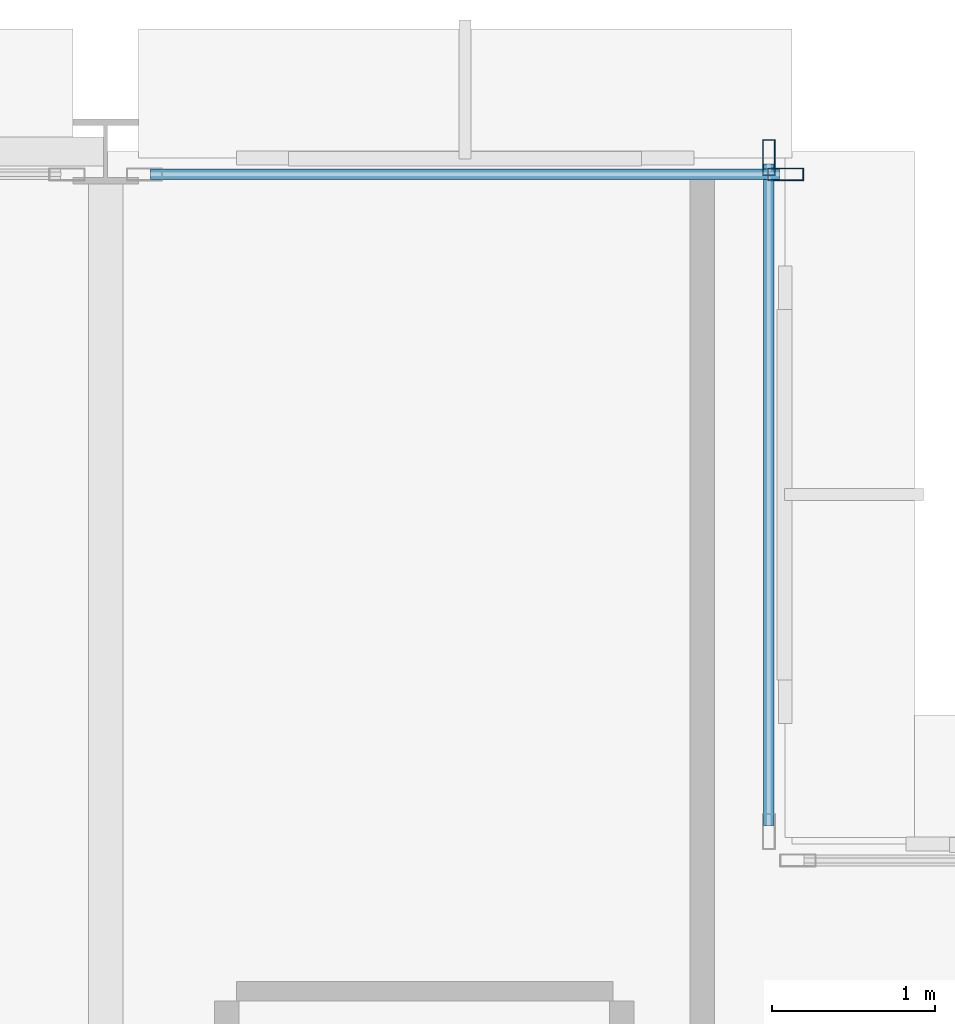
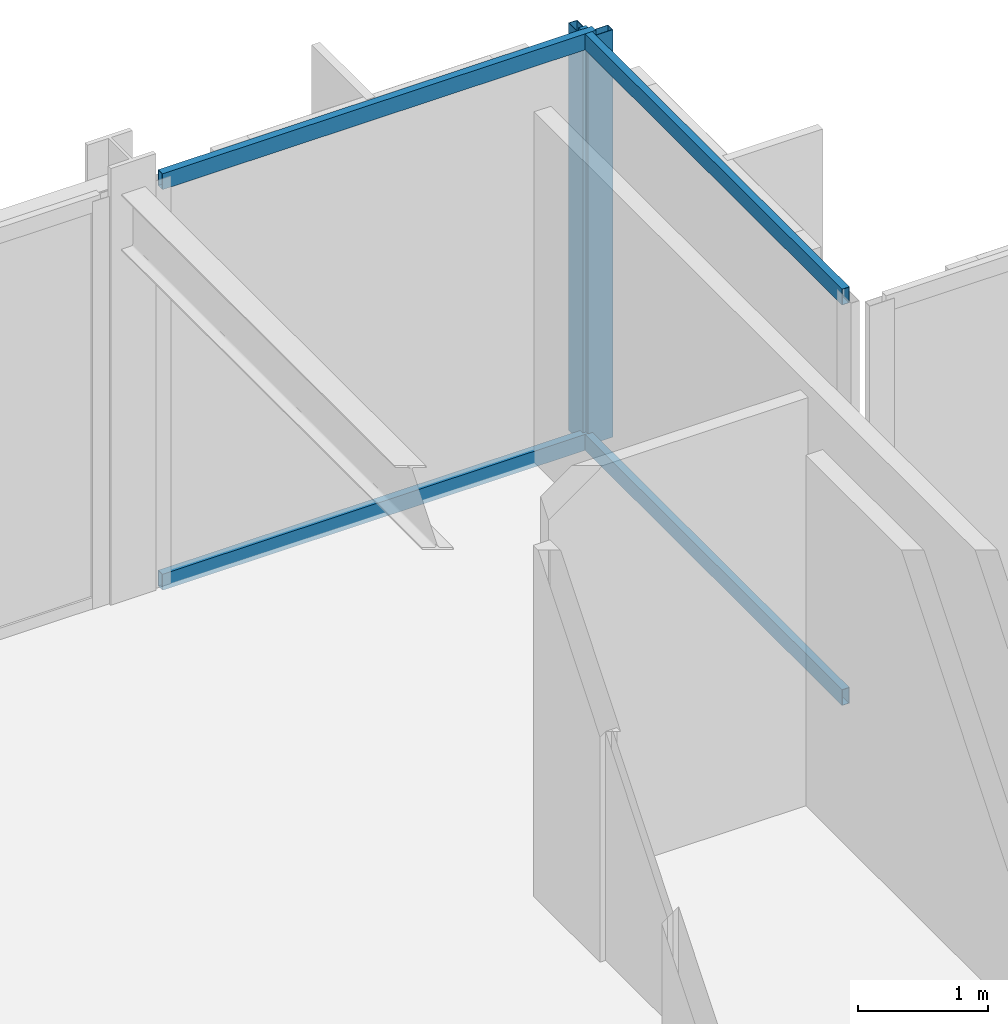
# One storey, part 16 of 25: 6 members, 2 elements without a shape of their own.
"""IFC4 building model written with IfcOpenShell, lengths in metres."""

from ifc_helpers import new_model, si_unit, direction, frame, origin, origin_2d, place, context, subcontext, project, spatial, hollow_rectangle, extrude, material, layer, layer_set, material_profile, profile_set, type_object, element, aggregate, save


model = new_model("IFC4")

# Units and contexts
model_context = context("Model", 3, precision=1e-05, world=origin(), true_north=direction((0.0, 1.0)))
body_context = subcontext(model_context, "Body", "Model", "MODEL_VIEW")
ifc_project = project(units=[si_unit("LENGTHUNIT", "METRE"), si_unit("AREAUNIT", "SQUARE_METRE"), si_unit("VOLUMEUNIT", "CUBIC_METRE"), si_unit("PLANEANGLEUNIT", "RADIAN"), si_unit("MASSUNIT", "GRAM", prefix="KILO")], contexts=[model_context])

# Site, building, storey
site_placement = place(None, origin())
site = spatial("IfcSite", under=ifc_project, at=site_placement, CompositionType="ELEMENT")
building_placement = place(site_placement, origin())
building = spatial("IfcBuilding", under=site, at=building_placement, Name="Nerrivon Quay Data Exchange", CompositionType="ELEMENT")
storey_placement = place(building_placement, frame((0.0, 0.0, 113.10009765625)))
storey = spatial("IfcBuildingStorey", under=building, at=storey_placement, Name="L26", CompositionType="ELEMENT", Elevation=113.10009765625)

# Curtain wall, member
ifc_material = material(Name="Anodised aluminium 6063-T6", Category="aluminium")
ifc_layer = layer(ifc_material, 0.22998046875)
ifc_layer_set = layer_set([ifc_layer], Name="Anodised aluminium 6063-T6")
curtain_wall_type = type_object("IfcCurtainWallType", Name="CW-SYS-05", PredefinedType="NOTDEFINED", material=ifc_layer_set)
curtain_wall_1_placement = place(storey_placement, origin())
curtain_wall_1 = element("IfcCurtainWall", 1, at=curtain_wall_1_placement, inside=storey, type_object=curtain_wall_type, Name="L26 Unitised Curtain Wall 21", PredefinedType="NOTDEFINED")
ifc_material_profile_1 = material_profile(ifc_material, hollow_rectangle(XDim=0.074951171875, YDim=0.219970703125, WallThickness=0.00390625, at=origin_2d()), Name="ALU-MULL-220x75")
ifc_profile_set_1 = profile_set([ifc_material_profile_1], Name="Anodised aluminium 6063-T6")
member_type_1 = type_object("IfcMemberType", Name="CWM-220x75", PredefinedType="MULLION", material=ifc_profile_set_1)
member_1_placement = place(storey_placement, frame((20.96240234375, 50.260009765625, 0.0), z_axis=(0.0, 0.0, 1.0), x_axis=(0.0, 1.0, 0.0)))
member_1 = element("IfcMember", 2, at=member_1_placement, type_object=member_type_1, Name="CW05 mullion 2", PredefinedType="MULLION", context=body_context, shape_type="SweptSolid", body=[
    extrude(hollow_rectangle(XDim=0.074951171875, YDim=0.219970703125, WallThickness=0.00390625, at=origin_2d()), origin(), (0.0, 0.0, 1.0), 3.824951171875),
])

curtain_wall_2_placement = place(storey_placement, origin())
curtain_wall_2 = element("IfcCurtainWall", 3, at=curtain_wall_2_placement, inside=storey, type_object=curtain_wall_type, Name="L26 Unitised Curtain Wall 22", PredefinedType="NOTDEFINED")
member_2_placement = place(storey_placement, frame((20.860107421875, 50.362548828125, 0.0), z_axis=(0.0, 0.0, 1.0), x_axis=(1.0, 0.0, 0.0)))
member_2 = element("IfcMember", 4, at=member_2_placement, type_object=member_type_1, Name="CW05 mullion 1", PredefinedType="MULLION", context=body_context, shape_type="SweptSolid", body=[
    extrude(hollow_rectangle(XDim=0.074951171875, YDim=0.219970703125, WallThickness=0.00390625, at=origin_2d()), origin(), (0.0, 0.0, 1.0), 3.824951171875),
])

# Member
ifc_material_profile_2 = material_profile(ifc_material, hollow_rectangle(XDim=0.06494140625, YDim=0.14990234375, WallThickness=0.00341796875, at=origin_2d()), Name="ALU-TRAN-150x65")
ifc_profile_set_2 = profile_set([ifc_material_profile_2], Name="Anodised aluminium 6063-T6")
member_type_2 = type_object("IfcMemberType", Name="CWT-150x65", PredefinedType="USERDEFINED", material=ifc_profile_set_2)
member_3_placement = place(storey_placement, frame((17.074951171875, 50.260009765625, 0.032470703125), z_axis=(1.0, 0.0, 0.0), x_axis=(0.0, 1.0, 0.0)))
member_3 = element("IfcMember", 5, at=member_3_placement, type_object=member_type_2, Name="CW05 transom 1.1", ObjectType="TRANSOM", PredefinedType="USERDEFINED", context=body_context, shape_type="SweptSolid", body=[
    extrude(hollow_rectangle(XDim=0.06494140625, YDim=0.14990234375, WallThickness=0.00341796875, at=origin_2d()), origin(), (0.0, 0.0, 1.0), 3.85009765625),
])

member_4_placement = place(storey_placement, frame((17.074951171875, 50.260009765625, 3.79248046875), z_axis=(1.0, 0.0, 0.0), x_axis=(0.0, 1.0, 0.0)))
member_4 = element("IfcMember", 6, at=member_4_placement, type_object=member_type_2, Name="CW05 transom 1.2", ObjectType="TRANSOM", PredefinedType="USERDEFINED", context=body_context, shape_type="SweptSolid", body=[
    extrude(hollow_rectangle(XDim=0.06494140625, YDim=0.14990234375, WallThickness=0.00341796875, at=origin_2d()), origin(), (0.0, 0.0, 1.0), 3.85009765625),
])

aggregate(curtain_wall_1, [member_1, member_3, member_4])

member_5_placement = place(storey_placement, frame((20.860107421875, 50.324951171875, 0.032470703125), z_axis=(0.0, -1.0, 0.0), x_axis=(1.0, 0.0, 0.0)))
member_5 = element("IfcMember", 7, at=member_5_placement, type_object=member_type_2, Name="CW05 transom 1.1", ObjectType="TRANSOM", PredefinedType="USERDEFINED", context=body_context, shape_type="SweptSolid", body=[
    extrude(hollow_rectangle(XDim=0.06494140625, YDim=0.14990234375, WallThickness=0.00341796875, at=origin_2d()), origin(), (0.0, 0.0, 1.0), 4.050048828125),
])

member_6_placement = place(storey_placement, frame((20.860107421875, 50.324951171875, 3.79248046875), z_axis=(0.0, -1.0, 0.0), x_axis=(1.0, 0.0, 0.0)))
member_6 = element("IfcMember", 8, at=member_6_placement, type_object=member_type_2, Name="CW05 transom 1.2", ObjectType="TRANSOM", PredefinedType="USERDEFINED", context=body_context, shape_type="SweptSolid", body=[
    extrude(hollow_rectangle(XDim=0.06494140625, YDim=0.14990234375, WallThickness=0.00341796875, at=origin_2d()), origin(), (0.0, 0.0, 1.0), 4.050048828125),
])

aggregate(curtain_wall_2, [member_2, member_5, member_6])

save(model, "model.ifc")
